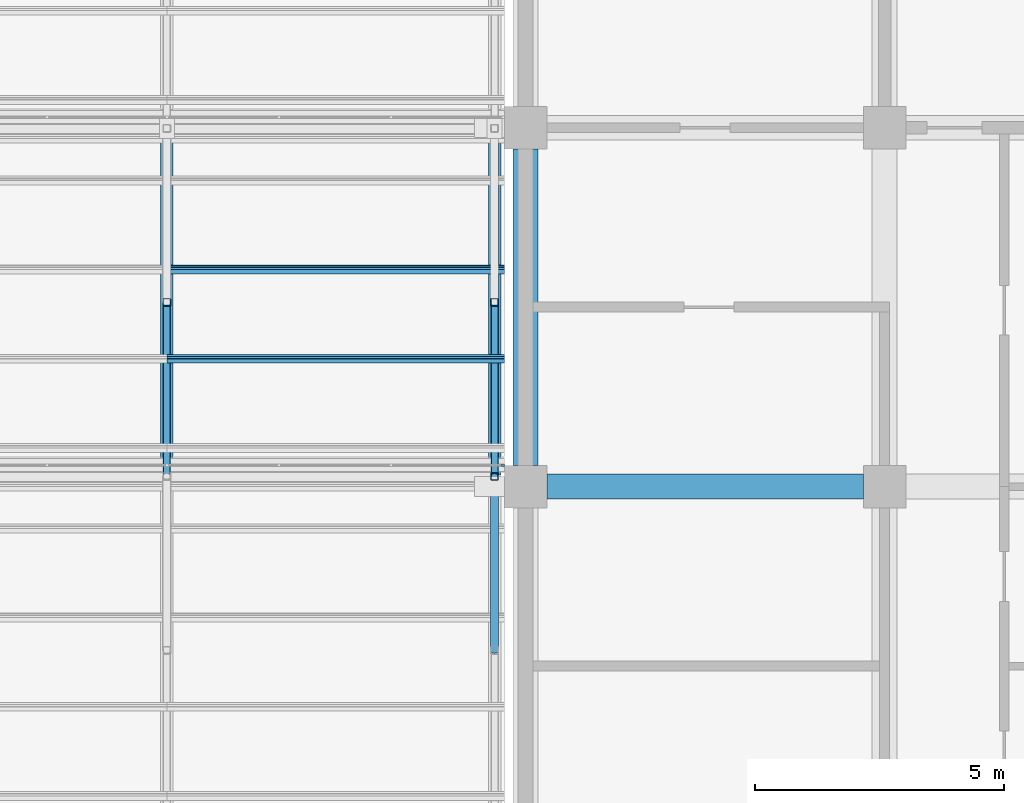
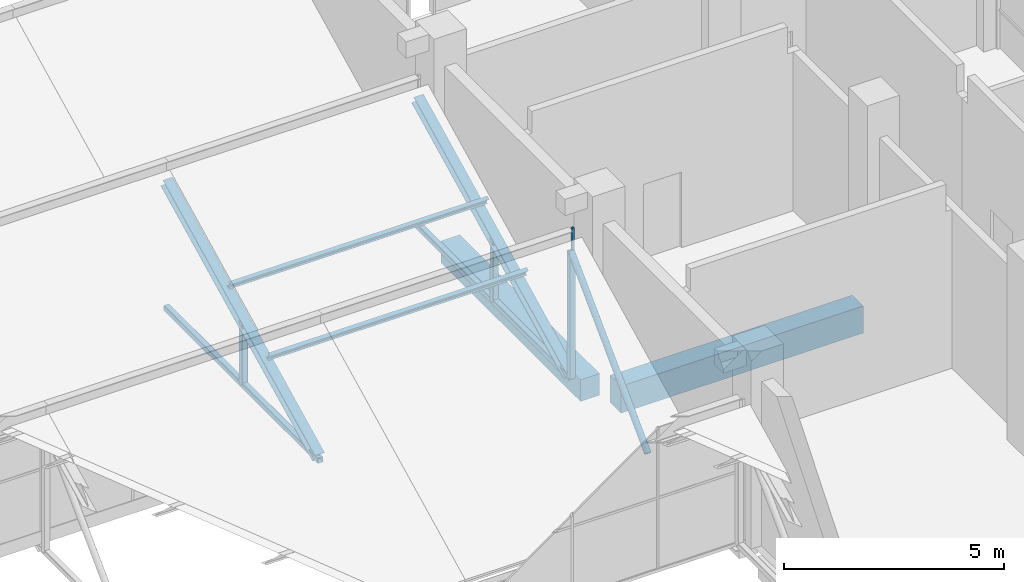
# One storey, part 53 of 83: 11 members, 2 beams, 1 element without a shape of its own.
"""IFC4 building model written with IfcOpenShell, lengths in metres."""

from ifc_helpers import new_model, si_unit, direction, frame, origin, origin_2d, place, context, subcontext, project, spatial, rectangle, hollow_rectangle, hollow_circle, i_section, extrude, material, material_profile, profile_set, type_object, element, aggregate, save


model = new_model("IFC4")

# Units and contexts
model_context = context("Model", 3, precision=1e-05, world=origin(), true_north=direction((0.0, 1.0)))
body_context = subcontext(model_context, "Body", "Model", "MODEL_VIEW")
ifc_project = project(units=[si_unit("LENGTHUNIT", "METRE"), si_unit("AREAUNIT", "SQUARE_METRE"), si_unit("VOLUMEUNIT", "CUBIC_METRE"), si_unit("PLANEANGLEUNIT", "RADIAN"), si_unit("MASSUNIT", "GRAM", prefix="KILO")], contexts=[model_context])

# Site, building, storey
site_placement = place(None, origin())
site = spatial("IfcSite", under=ifc_project, at=site_placement, CompositionType="ELEMENT")
building_placement = place(site_placement, origin())
building = spatial("IfcBuilding", under=site, at=building_placement, Name="Silangan Lancet Faculty of Sciences", CompositionType="ELEMENT")
storey_placement = place(building_placement, frame((0.0, 0.0, 11.39990234375)))
storey = spatial("IfcBuildingStorey", under=building, at=storey_placement, Name="L02", CompositionType="ELEMENT", Elevation=11.39990234375)

# Beams
ifc_material_1 = material(Name="Concrete C40/50", Category="concrete")
ifc_material_profile_1 = material_profile(ifc_material_1, rectangle(XDim=0.5, YDim=0.60009765625, at=origin_2d()), Name="RC 500x600")
ifc_profile_set_1 = profile_set([ifc_material_profile_1], Name="Concrete C40/50")
beam_type_1 = type_object("IfcBeamType", Name="BEAM RC 500x600", PredefinedType="BEAM", material=ifc_profile_set_1)
beam_1_placement = place(storey_placement, frame((72.0, 43.625, -0.5498046875), z_axis=(0.0, 1.0, 0.0), x_axis=(-1.0, 0.0, 0.0)))
element("IfcBeam", 1, at=beam_1_placement, inside=storey, type_object=beam_type_1, Name="BM-L02-11G-11H", PredefinedType="BEAM", context=body_context, shape_type="SweptSolid", body=[
    extrude(rectangle(XDim=0.5, YDim=0.60009765625, at=origin_2d()), origin(), (0.0, 0.0, 1.0), 6.35009765625),
])
ifc_material_2 = material(Name="Concrete C40/50", Category="concrete")
ifc_material_profile_2 = material_profile(ifc_material_2, rectangle(XDim=0.5, YDim=0.75, at=origin_2d()), Name="RC 500x750")
ifc_profile_set_2 = profile_set([ifc_material_profile_2], Name="Concrete C40/50")
beam_type_2 = type_object("IfcBeamType", Name="BEAM RC 500x750", PredefinedType="BEAM", material=ifc_profile_set_2)
beam_2_placement = place(storey_placement, frame((72.425048828125, 43.199951171875, -0.625), z_axis=(1.0, 0.0, 0.0), x_axis=(0.0, 1.0, 0.0)))
element("IfcBeam", 2, at=beam_2_placement, inside=storey, type_object=beam_type_2, Name="BM-L02-11G-12G", PredefinedType="BEAM", context=body_context, shape_type="SweptSolid", body=[
    extrude(rectangle(XDim=0.5, YDim=0.75, at=origin_2d()), origin(), (0.0, 0.0, 1.0), 6.349853515625),
])

# Curtain wall, member
ifc_material_3 = material(Name="Aluminium and laminated glass", Category="aluminium")
curtain_wall_type = type_object("IfcCurtainWallType", Name="North light glazing system", PredefinedType="NOTDEFINED", material=ifc_material_3)
curtain_wall_placement = place(storey_placement, origin())
curtain_wall = element("IfcCurtainWall", 3, at=curtain_wall_placement, inside=storey, type_object=curtain_wall_type, Name="North light glazing NAB-1-6", PredefinedType="NOTDEFINED")
ifc_material_4 = material(Name="Aluminium 6063-T6", Category="aluminium")
ifc_material_profile_3 = material_profile(ifc_material_4, rectangle(XDim=0.06005859375, YDim=0.050048828125, at=origin_2d()), Name="AL 60x50")
ifc_profile_set_3 = profile_set([ifc_material_profile_3], Name="Aluminium 6063-T6")
member_type_1 = type_object("IfcMemberType", Name="North light mullion 60x50", PredefinedType="MULLION", material=ifc_profile_set_3)
member_1_placement = place(storey_placement, frame((71.544921875, 43.631591796875, 0.4423828125), z_axis=(0.0, 0.0, 1.0), x_axis=(1.0, 0.0, 0.0)))
member_1 = element("IfcMember", 4, at=member_1_placement, type_object=member_type_1, Name="North light mullion NAB-1-6 4", PredefinedType="MULLION", context=body_context, shape_type="SweptSolid", body=[
    extrude(rectangle(XDim=0.06005859375, YDim=0.050048828125, at=origin_2d()), origin(), (0.0, 0.0, 1.0), 3.60595703125),
])
aggregate(curtain_wall, [member_1])

# Members
ifc_material_5 = material(Name="Steel SS400", Category="steel")
ifc_material_profile_4 = material_profile(ifc_material_5, i_section(OverallWidth=0.10009765625, OverallDepth=0.199951171875, WebThickness=0.005615234375, FlangeThickness=0.008056640625, FilletRadius=0.008056640625, at=origin_2d()), Name="H 200x100x5.5x8")
ifc_profile_set_4 = profile_set([ifc_material_profile_4], Name="Steel SS400")
member_type_2 = type_object("IfcMemberType", Name="Sheeting purlin H 200x100x5.5x8", PredefinedType="PURLIN", material=ifc_profile_set_4)
for number, where, z_axis, x_axis, name in (
    (5, (64.800048828125, 45.765625, 1.526123046875), (1.0, 0.0, 0.0), (0.0, 0.894427192382, 0.447213592736), "Sheeting purlin NAB-2-6 2"),
    (6, (64.800048828125, 47.5546875, 2.420654296875), (1.0, 0.0, 0.0), (0.0, 0.894427192382, 0.447213592736), "Sheeting purlin NAB-2-6 3"),
):
    element("IfcMember", number, at=place(storey_placement, frame(where, z_axis=z_axis, x_axis=x_axis)), inside=storey, type_object=member_type_2, Name=name, PredefinedType="PURLIN", context=body_context, shape_type="SweptSolid", body=[
        extrude(i_section(OverallWidth=0.10009765625, OverallDepth=0.199951171875, WebThickness=0.005615234375, FlangeThickness=0.008056640625, FilletRadius=0.008056640625, at=origin_2d()), origin(), (0.0, 0.0, 1.0), 6.77490234375),
    ])
ifc_material_6 = material(Name="Steel STKR400", Category="steel")
ifc_material_profile_5 = material_profile(ifc_material_6, hollow_rectangle(XDim=0.14990234375, YDim=0.14990234375, WallThickness=0.009033203125, InnerFilletRadius=0.009033203125, OuterFilletRadius=0.01806640625, at=origin_2d()), Name="SHS 150x150x9.0")
ifc_profile_set_5 = profile_set([ifc_material_profile_5], Name="Steel STKR400")
member_type_3 = type_object("IfcMemberType", Name="Truss bottom chord SHS 150x150x9.0", PredefinedType="CHORD", material=ifc_profile_set_5)
for number, where, z_axis, x_axis, name in (
    (7, (64.800048828125, 43.40673828125, 0.09521484375), (0.0, 1.0, 0.0), (-1.0, 0.0, 0.0), "Truss 6 bottom chord 2"),
    (8, (71.375, 43.40673828125, 0.09521484375), (0.0, 1.0, 0.0), (-1.0, 0.0, 0.0), "Truss 7 bottom chord 2"),
):
    element("IfcMember", number, at=place(storey_placement, frame(where, z_axis=z_axis, x_axis=x_axis)), inside=storey, type_object=member_type_3, Name=name, PredefinedType="CHORD", context=body_context, shape_type="SweptSolid", body=[
        extrude(hollow_rectangle(XDim=0.14990234375, YDim=0.14990234375, WallThickness=0.009033203125, InnerFilletRadius=0.009033203125, OuterFilletRadius=0.01806640625, at=origin_2d()), origin(), (0.0, 0.0, 1.0), 6.9814453125),
    ])
ifc_material_7 = material(Name="Steel STK400", Category="steel")
ifc_material_profile_6 = material_profile(ifc_material_7, hollow_circle(Radius=0.08251953125, WallThickness=0.0048828125, at=origin_2d()), Name="CHS 165.2x5.0")
ifc_profile_set_6 = profile_set([ifc_material_profile_6], Name="Steel STK400")
member_type_4 = type_object("IfcMemberType", Name="Truss diagonal CHS 165.2x5.0", PredefinedType="BRACE", material=ifc_profile_set_6)
member_2_placement = place(storey_placement, frame((71.375, 39.915771484375, 0.09521484375), z_axis=(0.0, 0.707131507361, 0.707082054147), x_axis=(-1.0, 0.0, 0.0)))
element("IfcMember", 9, at=member_2_placement, inside=storey, type_object=member_type_4, Name="Truss 7 diagonal 1", PredefinedType="BRACE", context=body_context, shape_type="SweptSolid", body=[
    extrude(hollow_circle(Radius=0.08251953125, WallThickness=0.0048828125, at=origin_2d()), origin(), (0.0, 0.0, 1.0), 4.936767578125),
])
ifc_material_8 = material(Name="Steel STKR400", Category="steel")
ifc_material_profile_7 = material_profile(ifc_material_8, hollow_rectangle(XDim=0.14990234375, YDim=0.14990234375, WallThickness=0.006103515625, InnerFilletRadius=0.006103515625, OuterFilletRadius=0.011962890625, at=origin_2d()), Name="SHS 150x150x6.0")
ifc_profile_set_7 = profile_set([ifc_material_profile_7], Name="Steel STKR400")
member_type_5 = type_object("IfcMemberType", Name="Truss post SHS 150x150x6.0", PredefinedType="POST", material=ifc_profile_set_7)
member_3_placement = place(storey_placement, frame((64.800048828125, 46.8974609375, 0.09521484375), z_axis=(0.0, 0.0, 1.0), x_axis=(1.0, 0.0, 0.0)))
element("IfcMember", 10, at=member_3_placement, inside=storey, type_object=member_type_5, Name="Truss 6 mid post 2", PredefinedType="POST", context=body_context, shape_type="SweptSolid", body=[
    extrude(hollow_rectangle(XDim=0.14990234375, YDim=0.14990234375, WallThickness=0.006103515625, InnerFilletRadius=0.006103515625, OuterFilletRadius=0.011962890625, at=origin_2d()), origin(), (0.0, 0.0, 1.0), 1.745361328125),
])
member_4_placement = place(storey_placement, frame((71.375, 43.40673828125, 0.09521484375), z_axis=(0.0, 0.0, 1.0), x_axis=(1.0, 0.0, 0.0)))
element("IfcMember", 11, at=member_4_placement, inside=storey, type_object=member_type_5, Name="Truss 7 riser post 1", PredefinedType="POST", context=body_context, shape_type="SweptSolid", body=[
    extrude(hollow_rectangle(XDim=0.14990234375, YDim=0.14990234375, WallThickness=0.006103515625, InnerFilletRadius=0.006103515625, OuterFilletRadius=0.011962890625, at=origin_2d()), origin(), (0.0, 0.0, 1.0), 3.49072265625),
])
member_5_placement = place(storey_placement, frame((71.375, 46.8974609375, 0.09521484375), z_axis=(0.0, 0.0, 1.0), x_axis=(1.0, 0.0, 0.0)))
element("IfcMember", 12, at=member_5_placement, inside=storey, type_object=member_type_5, Name="Truss 7 mid post 2", PredefinedType="POST", context=body_context, shape_type="SweptSolid", body=[
    extrude(hollow_rectangle(XDim=0.14990234375, YDim=0.14990234375, WallThickness=0.006103515625, InnerFilletRadius=0.006103515625, OuterFilletRadius=0.011962890625, at=origin_2d()), origin(), (0.0, 0.0, 1.0), 1.745361328125),
])
ifc_material_9 = material(Name="Steel SS400", Category="steel")
ifc_material_profile_8 = material_profile(ifc_material_9, i_section(OverallWidth=0.25, OverallDepth=0.25, WebThickness=0.009033203125, FlangeThickness=0.013916015625, FilletRadius=0.01611328125, at=origin_2d()), Name="H 250x250x9x14")
ifc_profile_set_8 = profile_set([ifc_material_profile_8], Name="Steel SS400")
member_type_6 = type_object("IfcMemberType", Name="Truss top chord H 250x250x9x14", PredefinedType="CHORD", material=ifc_profile_set_8)
for number, where, z_axis, x_axis, name in (
    (13, (64.800048828125, 43.4873046875, 0.13525390625), (0.0, 0.894414533534, 0.447238909537), (-1.0, 0.0, 0.0), "Truss 6 top chord 2"),
    (14, (71.375, 43.4873046875, 0.13525390625), (0.0, 0.894414533534, 0.447238909537), (-1.0, 0.0, 0.0), "Truss 7 top chord 2"),
):
    element("IfcMember", number, at=place(storey_placement, frame(where, z_axis=z_axis, x_axis=x_axis)), inside=storey, type_object=member_type_6, Name=name, PredefinedType="CHORD", context=body_context, shape_type="SweptSolid", body=[
        extrude(i_section(OverallWidth=0.25, OverallDepth=0.25, WebThickness=0.009033203125, FlangeThickness=0.013916015625, FilletRadius=0.01611328125, at=origin_2d()), origin(), (0.0, 0.0, 1.0), 7.715576171875),
    ])

save(model, "model.ifc")
